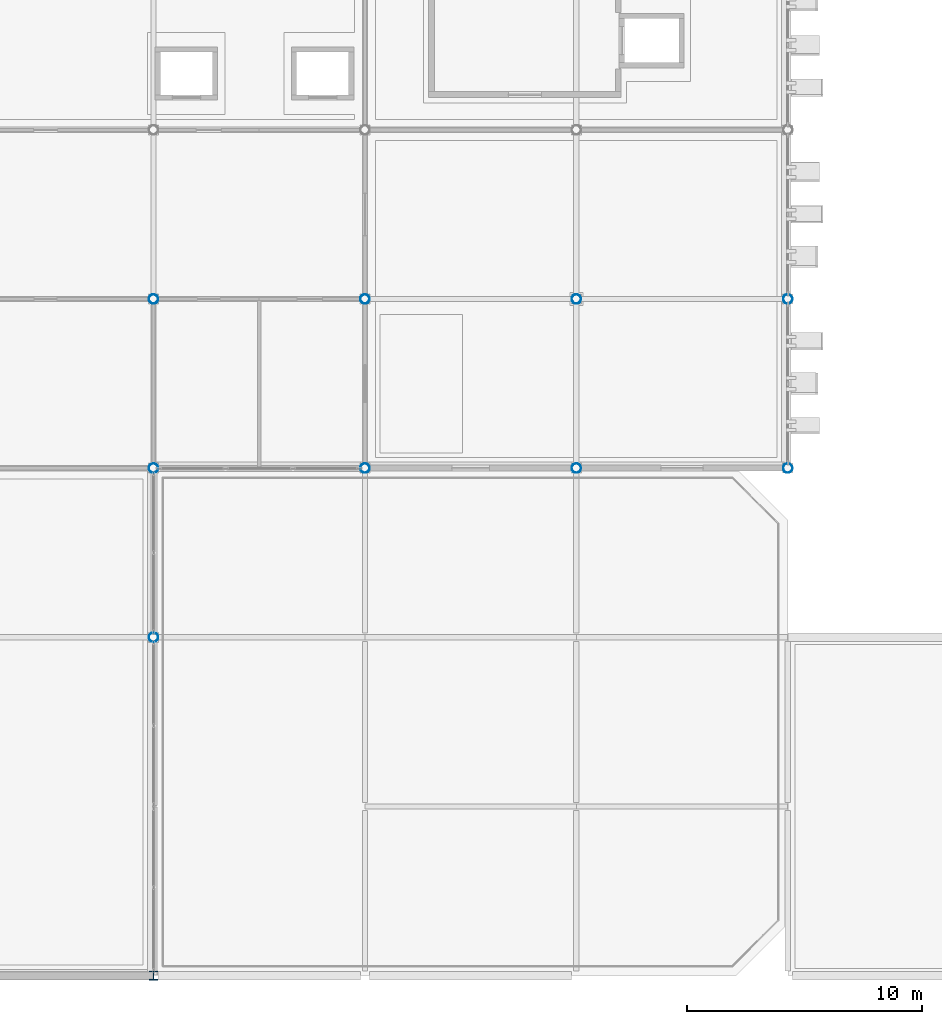
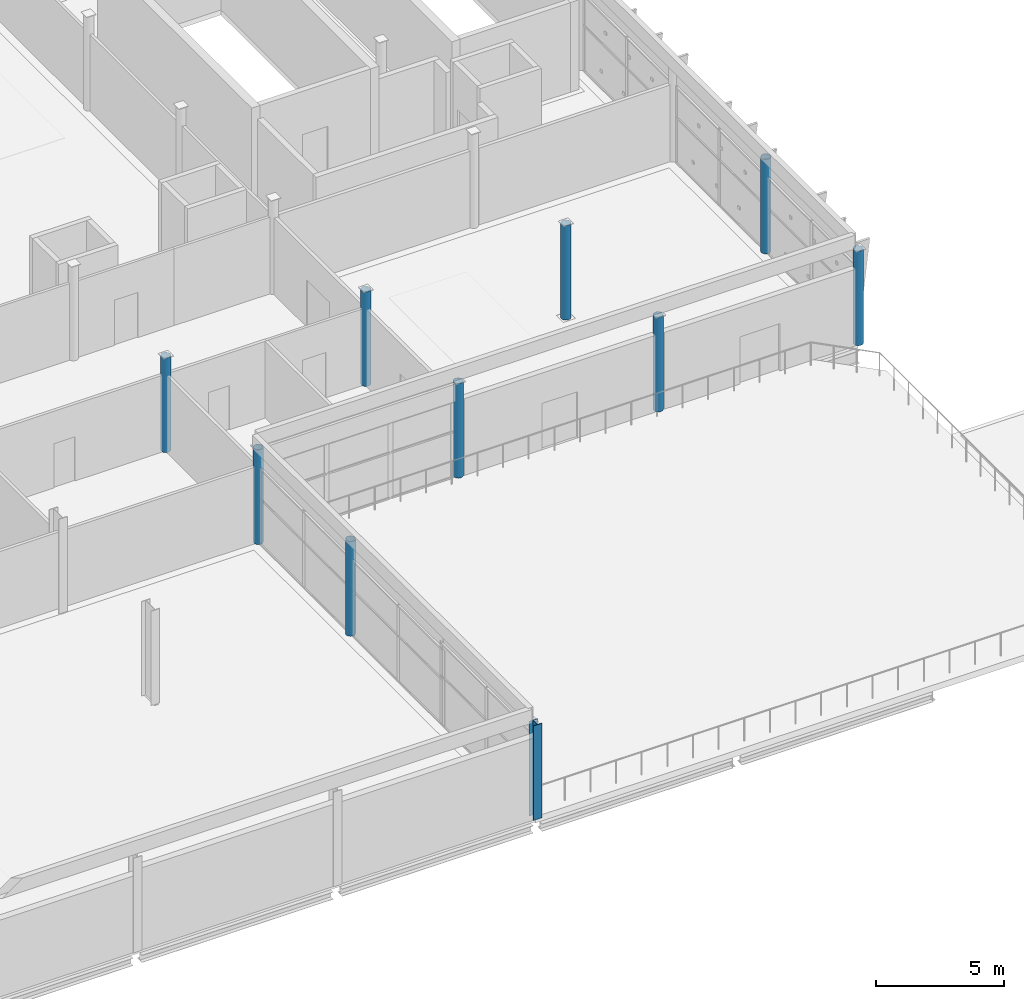
# One storey, part 2 of 52: 10 columns.
"""IFC4 building model written with IfcOpenShell, lengths in metres."""

from ifc_helpers import new_model, si_unit, direction, frame, origin, origin_2d, place, context, subcontext, project, spatial, hollow_circle, i_section, extrude, material, material_profile, profile_set, type_object, element, save


model = new_model("IFC4")

# Units and contexts
model_context = context("Model", 3, precision=1e-05, world=origin(), true_north=direction((0.0, 1.0)))
body_context = subcontext(model_context, "Body", "Model", "MODEL_VIEW")
ifc_project = project(units=[si_unit("LENGTHUNIT", "METRE"), si_unit("AREAUNIT", "SQUARE_METRE"), si_unit("VOLUMEUNIT", "CUBIC_METRE"), si_unit("PLANEANGLEUNIT", "RADIAN"), si_unit("MASSUNIT", "GRAM", prefix="KILO")], contexts=[model_context])

# Site, building, storey
site_placement = place(None, origin())
site = spatial("IfcSite", under=ifc_project, at=site_placement, CompositionType="ELEMENT")
building_placement = place(site_placement, origin())
building = spatial("IfcBuilding", under=site, at=building_placement, Name="Celestram Park Convention Centre", CompositionType="ELEMENT")
storey_placement = place(building_placement, frame((0.0, 0.0, 24.300048828125)))
storey = spatial("IfcBuildingStorey", under=building, at=storey_placement, Name="L05", CompositionType="ELEMENT", Elevation=24.300048828125)

# Columns
ifc_material_1 = material(Name="Steel ASTM A500 Grade C", Category="steel")
ifc_material_profile_1 = material_profile(ifc_material_1, hollow_circle(Radius=0.202880859375, WallThickness=0.013916015625, at=origin_2d()), Name="CHS406X14")
ifc_profile_set_1 = profile_set([ifc_material_profile_1], Name="Steel ASTM A500 Grade C")
column_type_1 = type_object("IfcColumnType", Name="STR-COL-CHS406", PredefinedType="COLUMN", material=ifc_profile_set_1)
for number, where, z_axis, x_axis, name in (
    (1, (72.0, 122.39990234375, 0.0), (0.0, 0.0, 1.0), (1.0, 0.0, 0.0), "Column CN-L05-036"),
    (2, (72.0, 129.60009765625, 0.0), (0.0, 0.0, 1.0), (1.0, 0.0, 0.0), "Column CN-L05-037"),
    (3, (72.0, 136.800048828125, 0.0), (0.0, 0.0, 1.0), (1.0, 0.0, 0.0), "Column CN-L05-038"),
    (4, (81.0, 129.60009765625, 0.0), (0.0, 0.0, 1.0), (1.0, 0.0, 0.0), "Column CN-L05-043"),
    (5, (81.0, 136.800048828125, 0.0), (0.0, 0.0, 1.0), (1.0, 0.0, 0.0), "Column CN-L05-044"),
    (6, (90.0, 129.60009765625, 0.0), (0.0, 0.0, 1.0), (1.0, 0.0, 0.0), "Column CN-L05-049"),
    (7, (90.0, 136.800048828125, 0.0), (0.0, 0.0, 1.0), (1.0, 0.0, 0.0), "Column CN-L05-050"),
    (8, (99.0, 129.60009765625, 0.0), (0.0, 0.0, 1.0), (1.0, 0.0, 0.0), "Column CN-L05-055"),
    (9, (99.0, 136.800048828125, 0.0), (0.0, 0.0, 1.0), (1.0, 0.0, 0.0), "Column CN-L05-056"),
):
    element("IfcColumn", number, at=place(storey_placement, frame(where, z_axis=z_axis, x_axis=x_axis)), inside=storey, type_object=column_type_1, Name=name, PredefinedType="COLUMN", context=body_context, shape_type="SweptSolid", body=[
        extrude(hollow_circle(Radius=0.202880859375, WallThickness=0.013916015625, at=origin_2d()), origin(), (0.0, 0.0, 1.0), 4.5),
    ])
ifc_material_2 = material(Name="Steel ASTM A992 Grade 50", Category="steel")
ifc_material_profile_2 = material_profile(ifc_material_2, i_section(OverallWidth=0.373046875, OverallDepth=0.373046875, WebThickness=0.016357421875, FlangeThickness=0.026123046875, at=origin_2d()), Name="W14X132")
ifc_profile_set_2 = profile_set([ifc_material_profile_2], Name="Steel ASTM A992 Grade 50")
column_type_2 = type_object("IfcColumnType", Name="STR-COL-W14X132", PredefinedType="COLUMN", material=ifc_profile_set_2)
column_placement = place(storey_placement, frame((72.0, 108.0, 0.0), z_axis=(0.0, 0.0, 1.0), x_axis=(1.0, 0.0, 0.0)))
element("IfcColumn", 10, at=column_placement, inside=storey, type_object=column_type_2, Name="Column CN-L05-035", PredefinedType="COLUMN", context=body_context, shape_type="SweptSolid", body=[
    extrude(i_section(OverallWidth=0.373046875, OverallDepth=0.373046875, WebThickness=0.016357421875, FlangeThickness=0.026123046875, at=origin_2d()), origin(), (0.0, 0.0, 1.0), 4.5),
])

save(model, "model.ifc")
